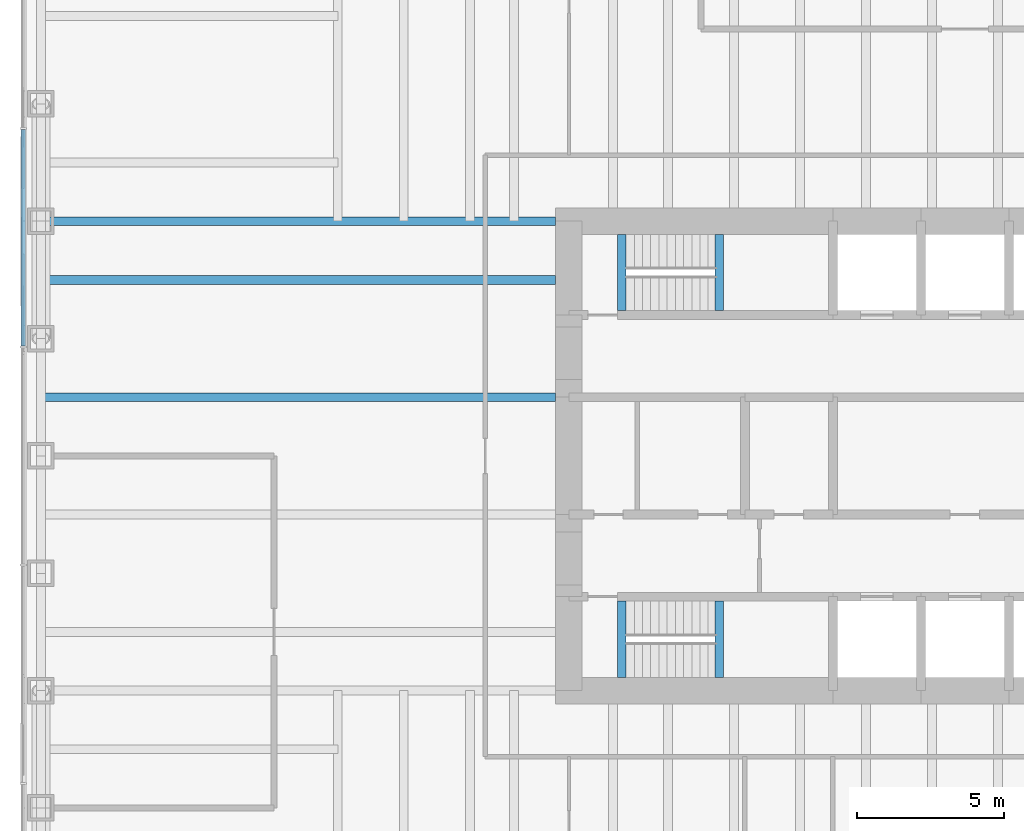
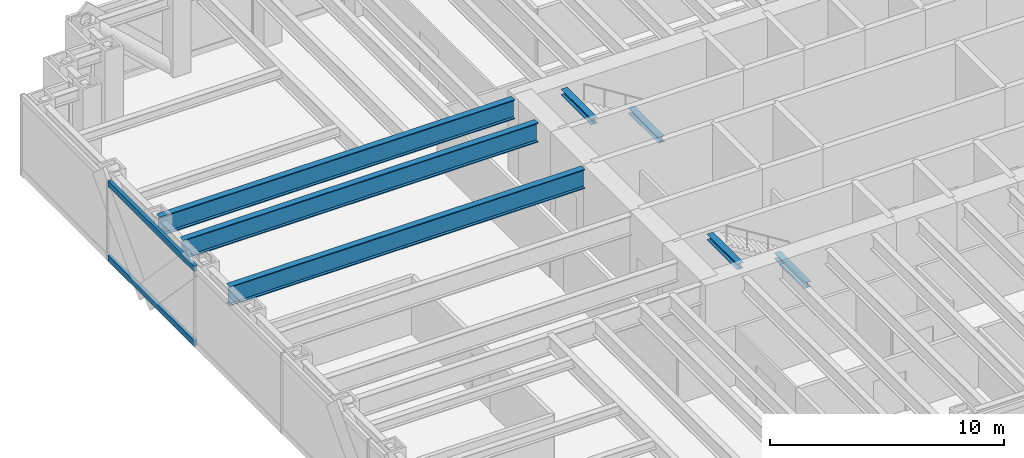
# One storey, part 3 of 15: 7 beams, 2 members, 1 element without a shape of its own.
"""IFC4 building model written with IfcOpenShell, lengths in metres."""

import ifcopenshell
import ifcopenshell.guid

model = None  # the IFC model being written
_history = None  # IfcOwnerHistory: only IFC2X3 demands one
_inside = {}  # id of a spatial element -> (the spatial element, [elements in it])
_under = {}  # id of a project, library or spatial element -> (it, [spatial elements below it])
_declared = {}  # id of a project -> (the project, [libraries it declares])
_typed = {}  # id of a type object -> (the type object, [elements of that type])
_made_of = {}  # id of a material, layer set ... -> (it, [elements and type objects made of it])


def new_model(schema):
    """Start an empty IFC model of exactly this schema.

    Asked for "IFC4X3", IfcOpenShell would pick the latest addendum, in which some entities
    have other attributes; the version numbers below select the first issue.
    IFC2X3 requires an IfcOwnerHistory on every rooted entity: one is made here for all.
    """
    global model, _history
    if schema == "IFC4X3":
        model = ifcopenshell.file(schema_version=(4, 3, 0, 0))
    else:
        model = ifcopenshell.file(schema=schema)
    _inside.clear()
    _under.clear()
    _declared.clear()
    _typed.clear()
    _made_of.clear()
    _history = None
    if model.schema == "IFC2X3":
        org = make("IfcOrganization", Name="unknown")
        user = make(
            "IfcPersonAndOrganization",
            ThePerson=make("IfcPerson", FamilyName="unknown"),
            TheOrganization=org,
        )
        app = make(
            "IfcApplication",
            ApplicationDeveloper=org,
            Version="unknown",
            ApplicationFullName="unknown",
            ApplicationIdentifier="unknown",
        )
        _history = make(
            "IfcOwnerHistory",
            OwningUser=user,
            OwningApplication=app,
            ChangeAction="ADDED",
            CreationDate=0,
        )
    return model


def make(cls, **values):
    """One entity of the class cls with the attributes given. An attribute that is None is left unset."""
    return model.create_entity(
        cls, **{name: value for name, value in values.items() if value is not None}
    )


def rooted(cls, **values):
    """An entity with a GlobalId (a new one), such as an element, a storey or a relation."""
    return make(cls, GlobalId=ifcopenshell.guid.new(), OwnerHistory=_history, **values)


def si_unit(unit_type, name, prefix=None):
    """IfcSIUnit, for example si_unit("LENGTHUNIT", "METRE", prefix="MILLI")."""
    return make("IfcSIUnit", UnitType=unit_type, Prefix=prefix, Name=name)


def assignment(units):
    """IfcUnitAssignment: the units of a project."""
    return None if units is None else make("IfcUnitAssignment", Units=units)


def point(xyz):
    """IfcCartesianPoint."""
    return None if xyz is None else make("IfcCartesianPoint", Coordinates=xyz)


def direction(xyz):
    """IfcDirection."""
    return None if xyz is None else make("IfcDirection", DirectionRatios=xyz)


def frame(location, z_axis=None, x_axis=None):
    """IfcAxis2Placement3D, a coordinate frame: its origin and axes. An axis left out is left unset."""
    return make(
        "IfcAxis2Placement3D",
        Location=point(location),
        Axis=direction(z_axis),
        RefDirection=direction(x_axis),
    )


def frame_2d(location, x_axis=None):
    """IfcAxis2Placement2D, a coordinate frame in the plane: its origin and x axis."""
    return make(
        "IfcAxis2Placement2D", Location=point(location), RefDirection=direction(x_axis)
    )


def origin():
    """The frame at (0, 0, 0) with its axes left unset."""
    return frame((0.0, 0.0, 0.0))


def origin_2d():
    """The frame at (0, 0) in the plane with its x axis left unset."""
    return frame_2d((0.0, 0.0))


def place(relative_to, where):
    """IfcLocalPlacement: puts the frame where relative to a parent placement (None: the world)."""
    return make(
        "IfcLocalPlacement", PlacementRelTo=relative_to, RelativePlacement=where
    )


def context(
    kind, dimensions, precision=None, world=None, true_north=None, identifier=None
):
    """IfcGeometricRepresentationContext, for example the 3D "Model" context."""
    return make(
        "IfcGeometricRepresentationContext",
        ContextIdentifier=identifier,
        ContextType=kind,
        CoordinateSpaceDimension=dimensions,
        Precision=precision,
        WorldCoordinateSystem=world,
        TrueNorth=true_north,
    )


def subcontext(parent, identifier, kind, view, scale=None):
    """IfcGeometricRepresentationSubContext, for example "Body" below "Model"."""
    return make(
        "IfcGeometricRepresentationSubContext",
        ContextIdentifier=identifier,
        ContextType=kind,
        ParentContext=parent,
        TargetScale=scale,
        TargetView=view,
    )


def project(units=None, contexts=None):
    """IfcProject with its units and contexts."""
    return rooted(
        "IfcProject",
        Name="project",
        RepresentationContexts=contexts,
        UnitsInContext=assignment(units),
    )


def spatial(cls, under=None, at=None, **own):
    """A site, building, storey or space (cls), placed at a placement, below another one or the project."""
    s = rooted(cls, ObjectPlacement=at, **own)
    if under is not None:
        _under.setdefault(under.id(), (under, []))[1].append(s)
    return s


def profile(cls, at=None, kind="AREA", **sizes):
    """A parametric profile (cls). Its sizes go by their IFC names, for example OverallWidth=200.0."""
    return make(cls, ProfileType=kind, Position=at, **sizes)


def rectangle(**sizes):
    """IfcRectangleProfileDef."""
    return profile("IfcRectangleProfileDef", **sizes)


def i_section(**sizes):
    """IfcIShapeProfileDef."""
    return profile("IfcIShapeProfileDef", **sizes)


def extrude(swept, where, along, depth):
    """IfcExtrudedAreaSolid: the profile swept, set in the frame where, extruded along a direction by depth."""
    return make(
        "IfcExtrudedAreaSolid",
        SweptArea=swept,
        Position=where,
        ExtrudedDirection=direction(along),
        Depth=depth,
    )


def shape(context_of_items, identifier, shape_type, items):
    """IfcShapeRepresentation: the items that make up one representation, for example the "Body"."""
    return make(
        "IfcShapeRepresentation",
        ContextOfItems=context_of_items,
        RepresentationIdentifier=identifier,
        RepresentationType=shape_type,
        Items=items,
    )


def material(Name=None, Category=None):
    """IfcMaterial."""
    return make("IfcMaterial", Name=Name, Category=Category)


def material_profile(
    of_material, cross_section, Name=None, Category=None, Priority=None
):
    """IfcMaterialProfile: a cross section and its material."""
    return make(
        "IfcMaterialProfile",
        Name=Name,
        Material=of_material,
        Profile=cross_section,
        Priority=Priority,
        Category=Category,
    )


def profile_set(profiles, Name=None, composite=None):
    """IfcMaterialProfileSet."""
    return make(
        "IfcMaterialProfileSet",
        Name=Name,
        MaterialProfiles=profiles,
        CompositeProfile=composite,
    )


def made_of(thing, what):
    """Note that an element or type object is made of a material, layer set ...; save() writes the relation."""
    if what is not None:
        _made_of.setdefault(what.id(), (what, []))[1].append(thing)
    return thing


def type_object(cls, material=None, **own):
    """A type object (cls), such as IfcWallType, which elements share."""
    return made_of(rooted(cls, **own), material)


def element(
    cls,
    number,
    at=None,
    inside=None,
    cuts=None,
    type_object=None,
    material=None,
    context=None,
    identifier="Body",
    shape_type=None,
    held_by="IfcProductDefinitionShape",
    body=None,
    shapes=None,
    **own,
):
    """One element of the class cls, such as IfcWall. Its Tag is "e" and its number.

    at: its placement. inside: the storey or other place that contains it. cuts: it is an
    opening in that element (IfcRelVoidsElement). A single representation is given by context,
    identifier, shape_type and body (its items); several are given by shapes. held_by: the class
    of the entity that holds the representations. save() writes the other relations.
    """
    e = rooted(cls, Tag="e%d" % number, ObjectPlacement=at, **own)
    if body is not None:
        shapes = [shape(context, identifier, shape_type, body)]
    if shapes is not None:
        e.Representation = make(held_by, Representations=shapes)
    if inside is not None:
        _inside.setdefault(inside.id(), (inside, []))[1].append(e)
    if cuts is not None:
        rooted(
            "IfcRelVoidsElement", RelatingBuildingElement=cuts, RelatedOpeningElement=e
        )
    if type_object is not None:
        _typed.setdefault(type_object.id(), (type_object, []))[1].append(e)
    return made_of(e, material)


def aggregate(whole, parts):
    """IfcRelAggregates: a whole, such as a stair, and the parts it consists of."""
    return rooted("IfcRelAggregates", RelatingObject=whole, RelatedObjects=parts)


def save(model, path):
    """Write the relations noted so far, then the file.

    IfcRelAggregates (storeys below a building ...), IfcRelContainedInSpatialStructure (elements
    in a storey), IfcRelDefinesByType, IfcRelAssociatesMaterial and IfcRelDeclares: one each for
    every whole, place, type object, material and project.
    """
    for whole, parts in _under.values():
        aggregate(whole, parts)
    for where, things in _inside.values():
        rooted(
            "IfcRelContainedInSpatialStructure",
            RelatedElements=things,
            RelatingStructure=where,
        )
    for kind, things in _typed.values():
        rooted("IfcRelDefinesByType", RelatedObjects=things, RelatingType=kind)
    for what, things in _made_of.values():
        rooted("IfcRelAssociatesMaterial", RelatedObjects=things, RelatingMaterial=what)
    for by, libraries in _declared.values():
        rooted("IfcRelDeclares", RelatingContext=by, RelatedDefinitions=libraries)
    model.write(path)


model = new_model("IFC4")

# Units and contexts
model_context = context("Model", 3, precision=1e-05, world=origin(), true_north=direction((0.0, 1.0)))
body_context = subcontext(model_context, "Body", "Model", "MODEL_VIEW")
ifc_project = project(units=[si_unit("LENGTHUNIT", "METRE"), si_unit("AREAUNIT", "SQUARE_METRE"), si_unit("VOLUMEUNIT", "CUBIC_METRE"), si_unit("PLANEANGLEUNIT", "RADIAN"), si_unit("MASSUNIT", "GRAM", prefix="KILO")], contexts=[model_context])

# Site, building, storey
site_placement = place(None, origin())
site = spatial("IfcSite", under=ifc_project, at=site_placement, CompositionType="ELEMENT")
building_placement = place(site_placement, origin())
building = spatial("IfcBuilding", under=site, at=building_placement, Name="Rheinbord Bourse Tower", CompositionType="ELEMENT")
storey_placement = place(building_placement, frame((0.0, 0.0, 150.89990234375)))
storey = spatial("IfcBuildingStorey", under=building, at=storey_placement, Name="L33", CompositionType="ELEMENT", Elevation=150.89990234375)

# Curtain wall, members
ifc_material_1 = material(Name="Dark glass and black aluminium", Category="aluminium")
curtain_wall_type = type_object("IfcCurtainWallType", Name="CW2 DARK GLASS CURTAIN WALL", PredefinedType="USERDEFINED", material=ifc_material_1)
curtain_wall_placement = place(storey_placement, origin())
curtain_wall = element("IfcCurtainWall", 1, at=curtain_wall_placement, inside=storey, type_object=curtain_wall_type, Name="Curtain wall CW2 W L33", ObjectType="UNITISED CURTAIN WALL", PredefinedType="USERDEFINED")
ifc_material_2 = material(Name="Black anodised aluminium", Category="aluminium")
ifc_material_profile_1 = material_profile(ifc_material_2, rectangle(XDim=0.159912109375, YDim=0.300048828125, at=origin_2d()), Name="CW2 TRANSOM 300x160")
ifc_profile_set_1 = profile_set([ifc_material_profile_1], Name="Black anodised aluminium")
member_type = type_object("IfcMemberType", Name="CW2 BLACK TRANSOM", PredefinedType="USERDEFINED", material=ifc_profile_set_1)
member_1_placement = place(storey_placement, frame((-0.60009765625, 35.125, 0.150146484375), z_axis=(0.0, -1.0, 0.0), x_axis=(1.0, 0.0, 0.0)))
member_1 = element("IfcMember", 2, at=member_1_placement, type_object=member_type, Name="CW2 transom 2.1", ObjectType="TRANSOM", PredefinedType="USERDEFINED", context=body_context, shape_type="SweptSolid", body=[
    extrude(rectangle(XDim=0.159912109375, YDim=0.300048828125, at=origin_2d()), origin(), (0.0, 0.0, 1.0), 7.3701171875),
])
member_2_placement = place(storey_placement, frame((-0.60009765625, 35.125, 4.050048828125), z_axis=(0.0, -1.0, 0.0), x_axis=(1.0, 0.0, 0.0)))
member_2 = element("IfcMember", 3, at=member_2_placement, type_object=member_type, Name="CW2 transom 2.2", ObjectType="TRANSOM", PredefinedType="USERDEFINED", context=body_context, shape_type="SweptSolid", body=[
    extrude(rectangle(XDim=0.159912109375, YDim=0.300048828125, at=origin_2d()), origin(), (0.0, 0.0, 1.0), 7.3701171875),
])
aggregate(curtain_wall, [member_1, member_2])

# Beams
ifc_material_3 = material(Name="Steel S460", Category="steel")
ifc_material_profile_2 = material_profile(ifc_material_3, i_section(OverallWidth=0.302001953125, OverallDepth=1.008056640625, WebThickness=0.02099609375, FlangeThickness=0.0400390625, at=origin_2d()), Name="HEM 1000")
ifc_profile_set_2 = profile_set([ifc_material_profile_2], Name="Steel S460")
beam_type_1 = type_object("IfcBeamType", Name="END BEAM HEM 1000", PredefinedType="BEAM", material=ifc_profile_set_2)
for number, where, z_axis, x_axis, name in (
    (4, (0.0, 26.0, 3.5361328125), (1.0, 0.0, 0.0), (0.0, 1.0, 0.0), "End beam west 26 L34"),
    (5, (0.0, 30.0, 3.5361328125), (1.0, 0.0, 0.0), (0.0, 1.0, 0.0), "End beam west 30 L34"),
):
    element("IfcBeam", number, at=place(storey_placement, frame(where, z_axis=z_axis, x_axis=x_axis)), inside=storey, type_object=beam_type_1, Name=name, PredefinedType="BEAM", context=body_context, shape_type="SweptSolid", body=[
        extrude(i_section(OverallWidth=0.302001953125, OverallDepth=1.008056640625, WebThickness=0.02099609375, FlangeThickness=0.0400390625, at=origin_2d()), origin(), (0.0, 0.0, 1.0), 17.550048828125),
    ])
ifc_material_4 = material(Name="Steel S460", Category="steel")
ifc_material_profile_3 = material_profile(ifc_material_4, i_section(OverallWidth=0.302001953125, OverallDepth=1.008056640625, WebThickness=0.02099609375, FlangeThickness=0.0400390625, at=origin_2d()), Name="HEM 1000")
ifc_profile_set_3 = profile_set([ifc_material_profile_3], Name="Steel S460")
beam_type_2 = type_object("IfcBeamType", Name="GIRDER HEM 1000", PredefinedType="BEAM", material=ifc_profile_set_3)
beam_placement = place(storey_placement, frame((0.0, 32.0, 3.5361328125), z_axis=(1.0, 0.0, 0.0), x_axis=(0.0, 1.0, 0.0)))
element("IfcBeam", 6, at=beam_placement, inside=storey, type_object=beam_type_2, Name="Girder west 32 L34", PredefinedType="BEAM", context=body_context, shape_type="SweptSolid", body=[
    extrude(i_section(OverallWidth=0.302001953125, OverallDepth=1.008056640625, WebThickness=0.02099609375, FlangeThickness=0.0400390625, at=origin_2d()), origin(), (0.0, 0.0, 1.0), 17.550048828125),
])
ifc_material_5 = material(Name="Steel S460", Category="steel")
ifc_material_profile_4 = material_profile(ifc_material_5, i_section(OverallWidth=0.300048828125, OverallDepth=0.300048828125, WebThickness=0.010986328125, FlangeThickness=0.01904296875, at=origin_2d()), Name="HEB 300")
ifc_profile_set_4 = profile_set([ifc_material_profile_4], Name="Steel S460")
beam_type_3 = type_object("IfcBeamType", Name="LANDING TRIMMER HEB 300", PredefinedType="BEAM", material=ifc_profile_set_4)
for number, where, z_axis, x_axis, name in (
    (7, (23.1298828125, 16.449951171875, 1.75), (0.0, 1.0, 0.0), (-1.0, 0.0, 0.0), "Landing trimmer ST1 L33"),
    (8, (19.800048828125, 16.449951171875, 3.89013671875), (0.0, 1.0, 0.0), (-1.0, 0.0, 0.0), "Well trimmer ST1 under L34"),
    (9, (23.1298828125, 28.949951171875, 1.75), (0.0, 1.0, 0.0), (-1.0, 0.0, 0.0), "Landing trimmer ST2 L33"),
    (10, (19.800048828125, 28.949951171875, 3.89013671875), (0.0, 1.0, 0.0), (-1.0, 0.0, 0.0), "Well trimmer ST2 under L34"),
):
    element("IfcBeam", number, at=place(storey_placement, frame(where, z_axis=z_axis, x_axis=x_axis)), inside=storey, type_object=beam_type_3, Name=name, PredefinedType="BEAM", context=body_context, shape_type="SweptSolid", body=[
        extrude(i_section(OverallWidth=0.300048828125, OverallDepth=0.300048828125, WebThickness=0.010986328125, FlangeThickness=0.01904296875, at=origin_2d()), origin(), (0.0, 0.0, 1.0), 2.60009765625),
    ])

save(model, "model.ifc")
